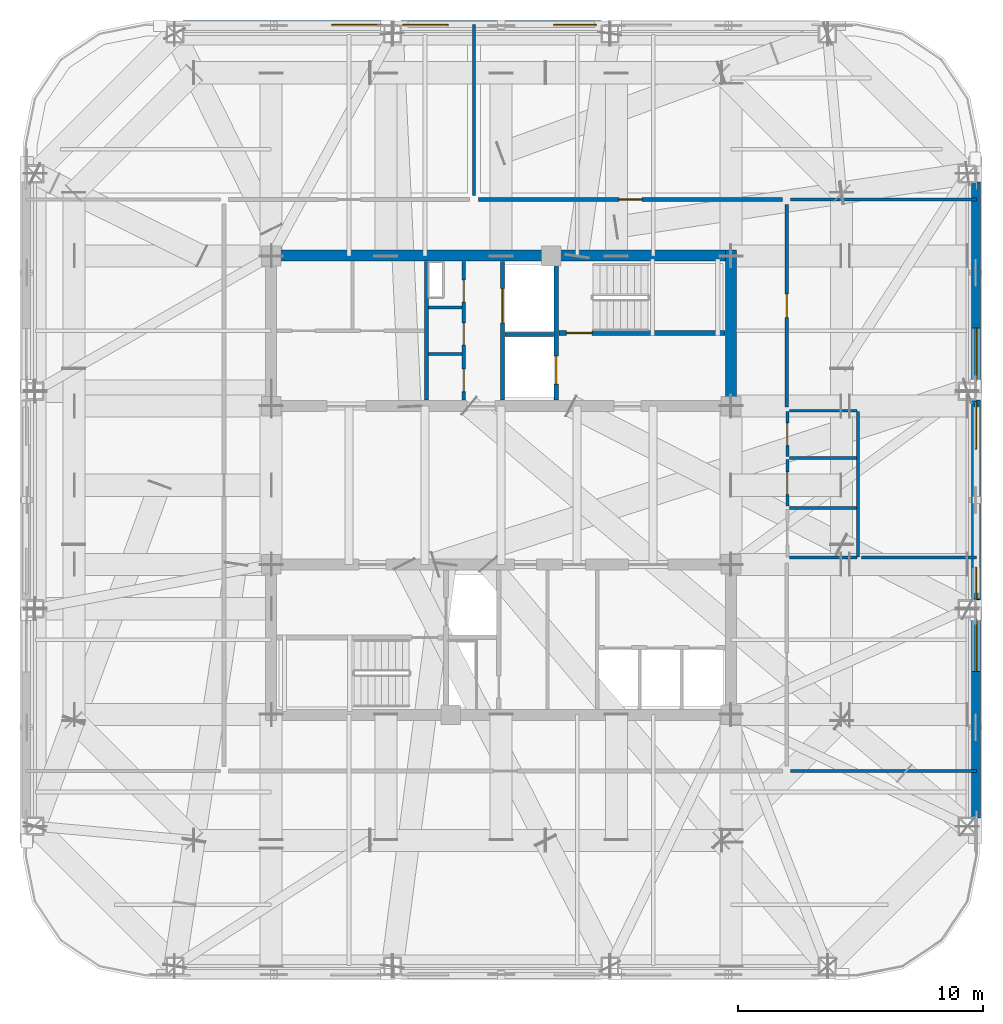
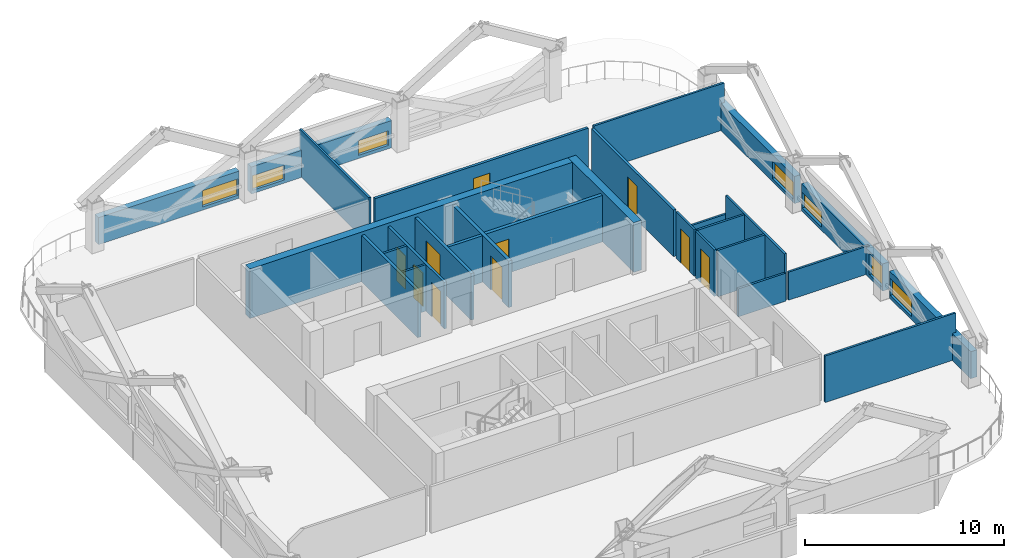
# One storey, part 7 of 11: 28 walls, 10 doors, 7 windows, 17 openings.
"""IFC4 building model written with IfcOpenShell, lengths in metres."""

from ifc_helpers import new_model, si_unit, direction, frame, frame_2d, origin, place, context, subcontext, project, spatial, rectangle, extrude, material, layer, layer_set, type_object, element, fill, save


model = new_model("IFC4")

# Units and contexts
model_context = context("Model", 3, precision=1e-05, world=origin(), true_north=direction((0.0, 1.0)))
body_context = subcontext(model_context, "Body", "Model", "MODEL_VIEW")
ifc_project = project(units=[si_unit("LENGTHUNIT", "METRE"), si_unit("AREAUNIT", "SQUARE_METRE"), si_unit("VOLUMEUNIT", "CUBIC_METRE"), si_unit("PLANEANGLEUNIT", "RADIAN"), si_unit("MASSUNIT", "GRAM", prefix="KILO")], contexts=[model_context])

# Site, building, storey
site_placement = place(None, origin())
site = spatial("IfcSite", under=ifc_project, at=site_placement, CompositionType="ELEMENT")
building_placement = place(site_placement, origin())
building = spatial("IfcBuilding", under=site, at=building_placement, Name="Qhalaya Broadcast Tower", CompositionType="ELEMENT")
storey_placement = place(building_placement, frame((0.0, 0.0, 199.5)))
storey = spatial("IfcBuildingStorey", under=building, at=storey_placement, Name="L58", CompositionType="ELEMENT", Elevation=199.5)

# Wall, openings, doors
ifc_material_1 = material(Name="Gypsum Acoustic Partition")
ifc_layer_1 = layer(ifc_material_1, 0.14990234375, Name="Gypsum Acoustic Partition")
ifc_layer_set_1 = layer_set([ifc_layer_1], Name="Gypsum Acoustic Partition")
wall_type_1 = type_object("IfcWallType", Name="Corridor & Tenancy Acoustic Partition 150", PredefinedType="PARTITIONING", material=ifc_layer_set_1)
wall_1_placement = place(storey_placement, frame((-1.52001953125, 4.070068359375, 0.0), z_axis=(0.0, 0.0, 1.0), x_axis=(0.0, 1.0, 0.0)))
wall_1 = element("IfcWall", 1, at=wall_1_placement, inside=storey, type_object=wall_type_1, Name="L58 Partition Wall NCW-SVL", PredefinedType="PARTITIONING", context=body_context, shape_type="SweptSolid", body=[
    extrude(rectangle(XDim=5.659912109375, YDim=0.14990234375, at=frame_2d((2.830078125, 0.0))), origin(), (0.0, 0.0, 1.0), 2.860107421875),
])
opening_1_placement = place(wall_1_placement, frame((4.0, 0.0, 0.0)))
opening_1 = element("IfcOpeningElement", 2, at=opening_1_placement, cuts=wall_1, Name="Opening D06", PredefinedType="OPENING", context=body_context, shape_type="SweptSolid", body=[
    extrude(rectangle(XDim=0.89990234375, YDim=2.050048828125, at=frame_2d((0.449951171875, 1.02490234375))), frame((0.0, 0.0869140625, 0.0), z_axis=(0.0, -1.0, 0.0), x_axis=(1.0, 0.0, 0.0)), (0.0, 0.0, 1.0), 0.173828125),
])
opening_2_placement = place(wall_1_placement, frame((2.25, 0.0, 0.0)))
opening_2 = element("IfcOpeningElement", 3, at=opening_2_placement, cuts=wall_1, Name="Opening D06", PredefinedType="OPENING", context=body_context, shape_type="SweptSolid", body=[
    extrude(rectangle(XDim=0.89990234375, YDim=2.050048828125, at=frame_2d((0.449951171875, 1.02490234375))), frame((0.0, 0.0869140625, 0.0), z_axis=(0.0, -1.0, 0.0), x_axis=(1.0, 0.0, 0.0)), (0.0, 0.0, 1.0), 0.173828125),
])
opening_3_placement = place(wall_1_placement, frame((0.35009765625, 0.0, 0.0)))
opening_3 = element("IfcOpeningElement", 4, at=opening_3_placement, cuts=wall_1, Name="Opening D12", PredefinedType="OPENING", context=body_context, shape_type="SweptSolid", body=[
    extrude(rectangle(XDim=0.919921875, YDim=2.10009765625, at=frame_2d((0.4599609375, 1.050048828125))), frame((0.0, 0.0869140625, 0.0), z_axis=(0.0, -1.0, 0.0), x_axis=(1.0, 0.0, 0.0)), (0.0, 0.0, 1.0), 0.173828125),
])
ifc_material_2 = material(Name="Timber Veneer Acoustic Door", Category="wood")
door_type_1 = type_object("IfcDoorType", Name="Accessible WC & Restroom Door D12", OperationType="NOTDEFINED", PredefinedType="DOOR", material=ifc_material_2)
door_1_placement = place(opening_3_placement, origin())
door_1 = element("IfcDoor", 5, at=door_1_placement, inside=storey, type_object=door_type_1, Name="L58 Door D-NCWC", OperationType="SINGLE_SWING_RIGHT", OverallHeight=2.10009765625, OverallWidth=0.919921875, PredefinedType="DOOR", context=body_context, shape_type="SweptSolid", body=[
    extrude(rectangle(XDim=0.919921875, YDim=2.10009765625, at=frame_2d((0.4599609375, 1.050048828125))), frame((0.0, 0.02490234375, 0.0), z_axis=(0.0, -1.0, 0.0), x_axis=(1.0, 0.0, 0.0)), (0.0, 0.0, 1.0), 0.050048828125),
])
fill(opening_3, door_1)
ifc_material_3 = material(Name="Fire-Rated Steel Door", Category="steel")
door_type_2 = type_object("IfcDoorType", Name="Riser & Electrical Shaft Access Door D06", OperationType="NOTDEFINED", PredefinedType="DOOR", material=ifc_material_3)
door_2_placement = place(opening_1_placement, origin())
door_2 = element("IfcDoor", 6, at=door_2_placement, inside=storey, type_object=door_type_2, Name="L58 Riser Shaft Access Door D-NRSR", OperationType="SINGLE_SWING_RIGHT", OverallHeight=2.050048828125, OverallWidth=0.89990234375, PredefinedType="DOOR", context=body_context, shape_type="SweptSolid", body=[
    extrude(rectangle(XDim=0.89990234375, YDim=2.050048828125, at=frame_2d((0.449951171875, 1.02490234375))), frame((0.0, 0.02490234375, 0.0), z_axis=(0.0, -1.0, 0.0), x_axis=(1.0, 0.0, 0.0)), (0.0, 0.0, 1.0), 0.050048828125),
])
fill(opening_1, door_2)
door_3_placement = place(opening_2_placement, origin())
door_3 = element("IfcDoor", 7, at=door_3_placement, inside=storey, type_object=door_type_2, Name="L58 Door D-NITR", OperationType="SINGLE_SWING_LEFT", OverallHeight=2.050048828125, OverallWidth=0.89990234375, PredefinedType="DOOR", context=body_context, shape_type="SweptSolid", body=[
    extrude(rectangle(XDim=0.89990234375, YDim=2.050048828125, at=frame_2d((0.449951171875, 1.02490234375))), frame((0.0, 0.02490234375, 0.0), z_axis=(0.0, -1.0, 0.0), x_axis=(1.0, 0.0, 0.0)), (0.0, 0.0, 1.0), 0.050048828125),
])
fill(opening_2, door_3)

# Wall, opening, door
wall_2_placement = place(storey_placement, frame((-0.919921875, 12.25, 0.0), z_axis=(0.0, 0.0, 1.0), x_axis=(1.0, 0.0, 0.0)))
wall_2 = element("IfcWall", 8, at=wall_2_placement, inside=storey, type_object=wall_type_1, Name="L58 Partition Wall W-COR-02", PredefinedType="PARTITIONING", context=body_context, shape_type="SweptSolid", body=[
    extrude(rectangle(XDim=12.389892578125, YDim=0.14990234375, at=frame_2d((6.19482421875, 0.0))), origin(), (0.0, 0.0, 1.0), 2.860107421875),
])
opening_4_placement = place(wall_2_placement, frame((5.719970703125, 0.0, 0.0)))
opening_4 = element("IfcOpeningElement", 9, at=opening_4_placement, cuts=wall_2, Name="Opening D10", PredefinedType="OPENING", context=body_context, shape_type="SweptSolid", body=[
    extrude(rectangle(XDim=0.949951171875, YDim=2.10009765625, at=frame_2d((0.47509765625, 1.050048828125))), frame((0.0, 0.0869140625, 0.0), z_axis=(0.0, -1.0, 0.0), x_axis=(1.0, 0.0, 0.0)), (0.0, 0.0, 1.0), 0.173828125),
])
door_type_3 = type_object("IfcDoorType", Name="Cellular Office & Edit Booth Door D10", OperationType="NOTDEFINED", PredefinedType="DOOR", material=ifc_material_2)
door_4_placement = place(opening_4_placement, origin())
door_4 = element("IfcDoor", 10, at=door_4_placement, inside=storey, type_object=door_type_3, Name="L58 Door D-RM02", OperationType="SINGLE_SWING_LEFT", OverallHeight=2.10009765625, OverallWidth=0.949951171875, PredefinedType="DOOR", context=body_context, shape_type="SweptSolid", body=[
    extrude(rectangle(XDim=0.949951171875, YDim=2.10009765625, at=frame_2d((0.47509765625, 1.050048828125))), frame((0.0, 0.02490234375, 0.0), z_axis=(0.0, -1.0, 0.0), x_axis=(1.0, 0.0, 0.0)), (0.0, 0.0, 1.0), 0.050048828125),
])
fill(opening_4, door_4)

wall_3_placement = place(storey_placement, frame((11.64990234375, 3.800048828125, 0.0), z_axis=(0.0, 0.0, 1.0), x_axis=(0.0, 1.0, 0.0)))
wall_3 = element("IfcWall", 11, at=wall_3_placement, inside=storey, type_object=wall_type_1, Name="L58 Partition Wall W-COR-06", PredefinedType="PARTITIONING", context=body_context, shape_type="SweptSolid", body=[
    extrude(rectangle(XDim=8.25, YDim=0.14990234375, at=frame_2d((4.125, 0.0))), origin(), (0.0, 0.0, 1.0), 2.860107421875),
])
opening_5_placement = place(wall_3_placement, frame((3.64990234375, 0.0, 0.0)))
opening_5 = element("IfcOpeningElement", 12, at=opening_5_placement, cuts=wall_3, Name="Opening D10", PredefinedType="OPENING", context=body_context, shape_type="SweptSolid", body=[
    extrude(rectangle(XDim=0.949951171875, YDim=2.10009765625, at=frame_2d((0.47509765625, 1.050048828125))), frame((0.0, 0.0869140625, 0.0), z_axis=(0.0, -1.0, 0.0), x_axis=(1.0, 0.0, 0.0)), (0.0, 0.0, 1.0), 0.173828125),
])
door_5_placement = place(opening_5_placement, origin())
door_5 = element("IfcDoor", 13, at=door_5_placement, inside=storey, type_object=door_type_3, Name="L58 Door D-RM06", OperationType="SINGLE_SWING_LEFT", OverallHeight=2.10009765625, OverallWidth=0.949951171875, PredefinedType="DOOR", context=body_context, shape_type="SweptSolid", body=[
    extrude(rectangle(XDim=0.949951171875, YDim=2.10009765625, at=frame_2d((0.47509765625, 1.050048828125))), frame((0.0, 0.02490234375, 0.0), z_axis=(0.0, -1.0, 0.0), x_axis=(1.0, 0.0, 0.0)), (0.0, 0.0, 1.0), 0.050048828125),
])
fill(opening_5, door_5)

# Wall, opening, window
ifc_material_4 = material(Name="Precast Concrete C40/50", Category="concrete")
ifc_layer_2 = layer(ifc_material_4, 0.360107421875, Name="Precast Concrete C40/50")
ifc_layer_set_2 = layer_set([ifc_layer_2], Name="Precast Concrete C40/50")
wall_type_2 = type_object("IfcWallType", Name="Insulated Precast Terracotta Exterior Wall 360", PredefinedType="SOLIDWALL", material=ifc_layer_set_2)
wall_4_placement = place(storey_placement, frame((19.360107421875, 12.9619140625, 0.0), z_axis=(0.0, 0.0, 1.0), x_axis=(0.0, -1.0, 0.0)))
wall_4 = element("IfcWall", 14, at=wall_4_placement, inside=storey, type_object=wall_type_2, Name="L58 Exoskeleton Diagrid Infill Wall E1", PredefinedType="SOLIDWALL", context=body_context, shape_type="SweptSolid", body=[
    extrude(rectangle(XDim=8.1787109375, YDim=0.360107421875, at=frame_2d((4.08935546875, 0.0))), origin(), (0.0, 0.0, 1.0), 1.662109375),
])
opening_6_placement = place(wall_4_placement, frame((5.949951171875, 0.0, 0.199951171875)))
opening_6 = element("IfcOpeningElement", 15, at=opening_6_placement, cuts=wall_4, Name="Opening W13", PredefinedType="OPENING", context=body_context, shape_type="SweptSolid", body=[
    extrude(rectangle(XDim=2.14990234375, YDim=1.050048828125, at=frame_2d((1.074951171875, 0.52490234375))), frame((0.0, 0.192138671875, 0.0), z_axis=(0.0, -1.0, 0.0), x_axis=(1.0, 0.0, 0.0)), (0.0, 0.0, 1.0), 0.384033203125),
])
ifc_material_5 = material(Name="Solar-Control Low-E Triple Glazing", Category="glass")
window_type = type_object("IfcWindowType", Name="Upper-Block Diagrid Infill Window W13", PartitioningType="SINGLE_PANEL", PredefinedType="WINDOW", material=ifc_material_5)
window_1_placement = place(opening_6_placement, origin())
window_1 = element("IfcWindow", 16, at=window_1_placement, inside=storey, type_object=window_type, Name="L58 Diagrid Infill Window W13-E1", OverallHeight=1.050048828125, OverallWidth=2.14990234375, PartitioningType="SINGLE_PANEL", PredefinedType="WINDOW", context=body_context, shape_type="SweptSolid", body=[
    extrude(rectangle(XDim=2.14990234375, YDim=1.050048828125, at=frame_2d((1.074951171875, 0.52490234375))), frame((0.0, 0.030029296875, 0.0), z_axis=(0.0, -1.0, 0.0), x_axis=(1.0, 0.0, 0.0)), (0.0, 0.0, 1.0), 0.06005859375),
])
fill(opening_6, window_1)

# Wall, openings, windows
wall_5_placement = place(storey_placement, frame((19.360107421875, 4.083251953125, 0.0), z_axis=(0.0, 0.0, 1.0), x_axis=(0.0, -1.0, 0.0)))
wall_5 = element("IfcWall", 17, at=wall_5_placement, inside=storey, type_object=wall_type_2, Name="L58 Exoskeleton Diagrid Infill Wall E2", PredefinedType="SOLIDWALL", context=body_context, shape_type="SweptSolid", body=[
    extrude(rectangle(XDim=8.16650390625, YDim=0.360107421875, at=frame_2d((4.083251953125, 0.0))), origin(), (0.0, 0.0, 1.0), 1.662109375),
])
opening_7_placement = place(wall_5_placement, frame((0.071044921875, 0.0, 0.199951171875)))
opening_7 = element("IfcOpeningElement", 18, at=opening_7_placement, cuts=wall_5, Name="Opening W13", PredefinedType="OPENING", context=body_context, shape_type="SweptSolid", body=[
    extrude(rectangle(XDim=1.949951171875, YDim=0.949951171875, at=frame_2d((0.97509765625, 0.47509765625))), frame((0.0, 0.192138671875, 0.0), z_axis=(0.0, -1.0, 0.0), x_axis=(1.0, 0.0, 0.0)), (0.0, 0.0, 1.0), 0.384033203125),
])
opening_8_placement = place(wall_5_placement, frame((6.821044921875, 0.0, 0.199951171875)))
opening_8 = element("IfcOpeningElement", 19, at=opening_8_placement, cuts=wall_5, Name="Opening W13", PredefinedType="OPENING", context=body_context, shape_type="SweptSolid", body=[
    extrude(rectangle(XDim=1.300048828125, YDim=1.300048828125, at=frame_2d((0.64990234375, 0.64990234375))), frame((0.0, 0.192138671875, 0.0), z_axis=(0.0, -1.0, 0.0), x_axis=(1.0, 0.0, 0.0)), (0.0, 0.0, 1.0), 0.384033203125),
])
window_2_placement = place(opening_7_placement, origin())
window_2 = element("IfcWindow", 20, at=window_2_placement, inside=storey, type_object=window_type, Name="L58 Diagrid Infill Window W13-E2", OverallHeight=0.949951171875, OverallWidth=1.949951171875, PartitioningType="SINGLE_PANEL", PredefinedType="WINDOW", context=body_context, shape_type="SweptSolid", body=[
    extrude(rectangle(XDim=1.949951171875, YDim=0.949951171875, at=frame_2d((0.97509765625, 0.47509765625))), frame((0.0, 0.030029296875, 0.0), z_axis=(0.0, -1.0, 0.0), x_axis=(1.0, 0.0, 0.0)), (0.0, 0.0, 1.0), 0.06005859375),
])
fill(opening_7, window_2)
window_3_placement = place(opening_8_placement, origin())
window_3 = element("IfcWindow", 21, at=window_3_placement, inside=storey, type_object=window_type, Name="L58 Diagrid Infill Window W13-E3", OverallHeight=1.300048828125, OverallWidth=1.300048828125, PartitioningType="SINGLE_PANEL", PredefinedType="WINDOW", context=body_context, shape_type="SweptSolid", body=[
    extrude(rectangle(XDim=1.300048828125, YDim=1.300048828125, at=frame_2d((0.64990234375, 0.64990234375))), frame((0.0, 0.030029296875, 0.0), z_axis=(0.0, -1.0, 0.0), x_axis=(1.0, 0.0, 0.0)), (0.0, 0.0, 1.0), 0.06005859375),
])
fill(opening_8, window_3)

# Wall, opening, window
wall_6_placement = place(storey_placement, frame((19.360107421875, -4.783203125, 0.0), z_axis=(0.0, 0.0, 1.0), x_axis=(0.0, -1.0, 0.0)))
wall_6 = element("IfcWall", 22, at=wall_6_placement, inside=storey, type_object=wall_type_2, Name="L58 Exoskeleton Diagrid Infill Wall E3", PredefinedType="SOLIDWALL", context=body_context, shape_type="SweptSolid", body=[
    extrude(rectangle(XDim=8.1787109375, YDim=0.360107421875, at=frame_2d((4.08935546875, 0.0))), origin(), (0.0, 0.0, 1.0), 1.662109375),
])
opening_9_placement = place(wall_6_placement, frame((0.054931640625, 0.0, 0.199951171875)))
opening_9 = element("IfcOpeningElement", 23, at=opening_9_placement, cuts=wall_6, Name="Opening W13", PredefinedType="OPENING", context=body_context, shape_type="SweptSolid", body=[
    extrude(rectangle(XDim=2.14990234375, YDim=1.050048828125, at=frame_2d((1.074951171875, 0.52490234375))), frame((0.0, 0.192138671875, 0.0), z_axis=(0.0, -1.0, 0.0), x_axis=(1.0, 0.0, 0.0)), (0.0, 0.0, 1.0), 0.384033203125),
])
window_4_placement = place(opening_9_placement, origin())
window_4 = element("IfcWindow", 24, at=window_4_placement, inside=storey, type_object=window_type, Name="L58 Diagrid Infill Window W13-E4", OverallHeight=1.050048828125, OverallWidth=2.14990234375, PartitioningType="SINGLE_PANEL", PredefinedType="WINDOW", context=body_context, shape_type="SweptSolid", body=[
    extrude(rectangle(XDim=2.14990234375, YDim=1.050048828125, at=frame_2d((1.074951171875, 0.52490234375))), frame((0.0, 0.030029296875, 0.0), z_axis=(0.0, -1.0, 0.0), x_axis=(1.0, 0.0, 0.0)), (0.0, 0.0, 1.0), 0.06005859375),
])
fill(opening_9, window_4)

wall_7_placement = place(storey_placement, frame((-12.9619140625, 19.360107421875, 0.0), z_axis=(0.0, 0.0, 1.0), x_axis=(1.0, 0.0, 0.0)))
wall_7 = element("IfcWall", 25, at=wall_7_placement, inside=storey, type_object=wall_type_2, Name="L58 Exoskeleton Diagrid Infill Wall N1", PredefinedType="SOLIDWALL", context=body_context, shape_type="SweptSolid", body=[
    extrude(rectangle(XDim=8.1787109375, YDim=0.360107421875, at=frame_2d((4.08935546875, 0.0))), origin(), (0.0, 0.0, 1.0), 1.662109375),
])
opening_10_placement = place(wall_7_placement, frame((6.050048828125, 0.0, 0.199951171875)))
opening_10 = element("IfcOpeningElement", 26, at=opening_10_placement, cuts=wall_7, Name="Opening W13", PredefinedType="OPENING", context=body_context, shape_type="SweptSolid", body=[
    extrude(rectangle(XDim=2.050048828125, YDim=1.0, at=frame_2d((1.02490234375, 0.5))), frame((0.0, 0.192138671875, 0.0), z_axis=(0.0, -1.0, 0.0), x_axis=(1.0, 0.0, 0.0)), (0.0, 0.0, 1.0), 0.384033203125),
])
window_5_placement = place(opening_10_placement, origin())
window_5 = element("IfcWindow", 27, at=window_5_placement, inside=storey, type_object=window_type, Name="L58 Diagrid Infill Window W13-N1", OverallHeight=1.0, OverallWidth=2.050048828125, PartitioningType="SINGLE_PANEL", PredefinedType="WINDOW", context=body_context, shape_type="SweptSolid", body=[
    extrude(rectangle(XDim=2.050048828125, YDim=1.0, at=frame_2d((1.02490234375, 0.5))), frame((0.0, 0.030029296875, 0.0), z_axis=(0.0, -1.0, 0.0), x_axis=(1.0, 0.0, 0.0)), (0.0, 0.0, 1.0), 0.06005859375),
])
fill(opening_10, window_5)

# Wall, openings, windows
wall_8_placement = place(storey_placement, frame((-4.083251953125, 19.360107421875, 0.0), z_axis=(0.0, 0.0, 1.0), x_axis=(1.0, 0.0, 0.0)))
wall_8 = element("IfcWall", 28, at=wall_8_placement, inside=storey, type_object=wall_type_2, Name="L58 Exoskeleton Diagrid Infill Wall N2", PredefinedType="SOLIDWALL", context=body_context, shape_type="SweptSolid", body=[
    extrude(rectangle(XDim=8.16650390625, YDim=0.360107421875, at=frame_2d((4.083251953125, 0.0))), origin(), (0.0, 0.0, 1.0), 1.662109375),
])
opening_11_placement = place(wall_8_placement, frame((0.071044921875, 0.0, 0.199951171875)))
opening_11 = element("IfcOpeningElement", 29, at=opening_11_placement, cuts=wall_8, Name="Opening W13", PredefinedType="OPENING", context=body_context, shape_type="SweptSolid", body=[
    extrude(rectangle(XDim=1.85009765625, YDim=0.89990234375, at=frame_2d((0.925048828125, 0.449951171875))), frame((0.0, 0.192138671875, 0.0), z_axis=(0.0, -1.0, 0.0), x_axis=(1.0, 0.0, 0.0)), (0.0, 0.0, 1.0), 0.384033203125),
])
opening_12_placement = place(wall_8_placement, frame((6.220947265625, 0.0, 0.199951171875)))
opening_12 = element("IfcOpeningElement", 30, at=opening_12_placement, cuts=wall_8, Name="Opening W13", PredefinedType="OPENING", context=body_context, shape_type="SweptSolid", body=[
    extrude(rectangle(XDim=1.75, YDim=0.89990234375, at=frame_2d((0.875, 0.449951171875))), frame((0.0, 0.192138671875, 0.0), z_axis=(0.0, -1.0, 0.0), x_axis=(1.0, 0.0, 0.0)), (0.0, 0.0, 1.0), 0.384033203125),
])
window_6_placement = place(opening_11_placement, origin())
window_6 = element("IfcWindow", 31, at=window_6_placement, inside=storey, type_object=window_type, Name="L58 Diagrid Infill Window W13-N2", OverallHeight=0.89990234375, OverallWidth=1.85009765625, PartitioningType="SINGLE_PANEL", PredefinedType="WINDOW", context=body_context, shape_type="SweptSolid", body=[
    extrude(rectangle(XDim=1.85009765625, YDim=0.89990234375, at=frame_2d((0.925048828125, 0.449951171875))), frame((0.0, 0.030029296875, 0.0), z_axis=(0.0, -1.0, 0.0), x_axis=(1.0, 0.0, 0.0)), (0.0, 0.0, 1.0), 0.06005859375),
])
fill(opening_11, window_6)
window_7_placement = place(opening_12_placement, origin())
window_7 = element("IfcWindow", 32, at=window_7_placement, inside=storey, type_object=window_type, Name="L58 Diagrid Infill Window W13-N3", OverallHeight=0.89990234375, OverallWidth=1.75, PartitioningType="SINGLE_PANEL", PredefinedType="WINDOW", context=body_context, shape_type="SweptSolid", body=[
    extrude(rectangle(XDim=1.75, YDim=0.89990234375, at=frame_2d((0.875, 0.449951171875))), frame((0.0, 0.030029296875, 0.0), z_axis=(0.0, -1.0, 0.0), x_axis=(1.0, 0.0, 0.0)), (0.0, 0.0, 1.0), 0.06005859375),
])
fill(opening_12, window_7)

# Wall, opening, door
ifc_material_6 = material(Name="Concrete C50/60", Category="concrete")
ifc_layer_3 = layer(ifc_material_6, 0.199951171875, Name="Concrete C50/60")
ifc_layer_set_3 = layer_set([ifc_layer_3], Name="Concrete C50/60")
wall_type_3 = type_object("IfcWallType", Name="Load-Bearing Stair Shaft Wall 200", PredefinedType="SHEAR", material=ifc_layer_set_3)
wall_9_placement = place(storey_placement, frame((2.360107421875, 6.804931640625, 0.0), z_axis=(0.0, 0.0, 1.0), x_axis=(1.0, 0.0, 0.0)))
wall_9 = element("IfcWall", 33, at=wall_9_placement, inside=storey, type_object=wall_type_3, Name="L58 Stair Core Shear Wall NCW-ST1", PredefinedType="SHEAR", context=body_context, shape_type="SweptSolid", body=[
    extrude(rectangle(XDim=6.769775390625, YDim=0.199951171875, at=frame_2d((3.384765625, 0.0))), origin(), (0.0, 0.0, 1.0), 2.860107421875),
])
opening_13_placement = place(wall_9_placement, frame((0.300048828125, 0.0, 0.0)))
opening_13 = element("IfcOpeningElement", 34, at=opening_13_placement, cuts=wall_9, Name="Opening D03", PredefinedType="OPENING", context=body_context, shape_type="SweptSolid", body=[
    extrude(rectangle(XDim=1.050048828125, YDim=2.080078125, at=frame_2d((0.52490234375, 1.0400390625))), frame((0.0, 0.112060546875, 0.0), z_axis=(0.0, -1.0, 0.0), x_axis=(1.0, 0.0, 0.0)), (0.0, 0.0, 1.0), 0.223876953125),
])
door_type_4 = type_object("IfcDoorType", Name="Core Stair Protected Fire Door D03", OperationType="NOTDEFINED", PredefinedType="DOOR", material=ifc_material_3)
door_6_placement = place(opening_13_placement, origin())
door_6 = element("IfcDoor", 35, at=door_6_placement, inside=storey, type_object=door_type_4, Name="L58 Door D-NST1", OperationType="SINGLE_SWING_LEFT", OverallHeight=2.080078125, OverallWidth=1.050048828125, PredefinedType="DOOR", context=body_context, shape_type="SweptSolid", body=[
    extrude(rectangle(XDim=1.050048828125, YDim=2.080078125, at=frame_2d((0.52490234375, 1.0400390625))), frame((0.0, 0.02490234375, 0.0), z_axis=(0.0, -1.0, 0.0), x_axis=(1.0, 0.0, 0.0)), (0.0, 0.0, 1.0), 0.050048828125),
])
fill(opening_13, door_6)

wall_10_placement = place(storey_placement, frame((2.25, 4.070068359375, 0.0), z_axis=(0.0, 0.0, 1.0), x_axis=(0.0, 1.0, 0.0)))
wall_10 = element("IfcWall", 36, at=wall_10_placement, inside=storey, type_object=wall_type_3, Name="L58 Stair Core Shear Wall NCW-FF", PredefinedType="SHEAR", context=body_context, shape_type="SweptSolid", body=[
    extrude(rectangle(XDim=5.659912109375, YDim=0.199951171875, at=frame_2d((2.830078125, 0.0))), origin(), (0.0, 0.0, 1.0), 2.860107421875),
])
opening_14_placement = place(wall_10_placement, frame((0.64990234375, 0.0, 0.0)))
opening_14 = element("IfcOpeningElement", 37, at=opening_14_placement, cuts=wall_10, Name="Opening LD2", PredefinedType="OPENING", context=body_context, shape_type="SweptSolid", body=[
    extrude(rectangle(XDim=1.14990234375, YDim=2.080078125, at=frame_2d((0.574951171875, 1.0400390625))), frame((0.0, 0.112060546875, 0.0), z_axis=(0.0, -1.0, 0.0), x_axis=(1.0, 0.0, 0.0)), (0.0, 0.0, 1.0), 0.223876953125),
])
ifc_material_7 = material(Name="Brushed Stainless Steel Lift Door", Category="steel")
door_type_5 = type_object("IfcDoorType", Name="Firefighting Lift Sliding Landing Door LD2", OperationType="DOUBLE_DOOR_SLIDING", PredefinedType="DOOR", material=ifc_material_7)
door_7_placement = place(opening_14_placement, origin())
door_7 = element("IfcDoor", 38, at=door_7_placement, inside=storey, type_object=door_type_5, Name="L58 Door LD-FF1", OperationType="DOUBLE_DOOR_SLIDING", OverallHeight=2.080078125, OverallWidth=1.14990234375, PredefinedType="DOOR", context=body_context, shape_type="SweptSolid", body=[
    extrude(rectangle(XDim=1.14990234375, YDim=2.080078125, at=frame_2d((0.574951171875, 1.0400390625))), frame((0.0, 0.02490234375, 0.0), z_axis=(0.0, -1.0, 0.0), x_axis=(1.0, 0.0, 0.0)), (0.0, 0.0, 1.0), 0.050048828125),
])
fill(opening_14, door_7)

# Walls
ifc_layer_4 = layer(ifc_material_1, 0.1201171875, Name="Gypsum Acoustic Partition")
ifc_layer_set_4 = layer_set([ifc_layer_4], Name="Gypsum Acoustic Partition")
wall_type_4 = type_object("IfcWallType", Name="Office, Booth & Sanitary Partition 120", PredefinedType="PARTITIONING", material=ifc_layer_set_4)
for number, where, z_axis, x_axis, name in (
    (39, (-2.9599609375, 5.949951171875, 0.0), (0.0, 0.0, 1.0), (1.0, 0.0, 0.0), "L58 Partition Wall NCW-VB1"),
    (40, (-2.9599609375, 7.85009765625, 0.0), (0.0, 0.0, 1.0), (1.0, 0.0, 0.0), "L58 Partition Wall NCW-VB2"),
):
    element("IfcWall", number, at=place(storey_placement, frame(where, z_axis=z_axis, x_axis=x_axis)), inside=storey, type_object=wall_type_4, Name=name, PredefinedType="PARTITIONING", context=body_context, shape_type="SweptSolid", body=[
        extrude(rectangle(XDim=1.35986328125, YDim=0.1201171875, at=frame_2d((0.679931640625, 0.0))), origin(), (0.0, 0.0, 1.0), 2.860107421875),
    ])

# Wall, opening, door
wall_11_placement = place(storey_placement, frame((11.669921875, -0.25, 0.0), z_axis=(0.0, 0.0, 1.0), x_axis=(0.0, 1.0, 0.0)))
wall_11 = element("IfcWall", 41, at=wall_11_placement, inside=storey, type_object=wall_type_4, Name="L58 Partition Wall W-WCWM", PredefinedType="PARTITIONING", context=body_context, shape_type="SweptSolid", body=[
    extrude(rectangle(XDim=1.89990234375, YDim=0.1201171875, at=frame_2d((0.949951171875, 0.0))), origin(), (0.0, 0.0, 1.0), 2.860107421875),
])
opening_15_placement = place(wall_11_placement, frame((0.47509765625, 0.0, 0.0)))
opening_15 = element("IfcOpeningElement", 42, at=opening_15_placement, cuts=wall_11, Name="Opening D12", PredefinedType="OPENING", context=body_context, shape_type="SweptSolid", body=[
    extrude(rectangle(XDim=0.919921875, YDim=2.10009765625, at=frame_2d((0.4599609375, 1.050048828125))), frame((0.0, 0.072021484375, 0.0), z_axis=(0.0, -1.0, 0.0), x_axis=(1.0, 0.0, 0.0)), (0.0, 0.0, 1.0), 0.14404296875),
])
door_8_placement = place(opening_15_placement, origin())
door_8 = element("IfcDoor", 43, at=door_8_placement, inside=storey, type_object=door_type_1, Name="L58 Door D-WCM", OperationType="SINGLE_SWING_RIGHT", OverallHeight=2.10009765625, OverallWidth=0.919921875, PredefinedType="DOOR", context=body_context, shape_type="SweptSolid", body=[
    extrude(rectangle(XDim=0.919921875, YDim=2.10009765625, at=frame_2d((0.4599609375, 1.050048828125))), frame((0.0, 0.02490234375, 0.0), z_axis=(0.0, -1.0, 0.0), x_axis=(1.0, 0.0, 0.0)), (0.0, 0.0, 1.0), 0.050048828125),
])
fill(opening_15, door_8)

wall_12_placement = place(storey_placement, frame((11.669921875, 1.780029296875, 0.0), z_axis=(0.0, 0.0, 1.0), x_axis=(0.0, 1.0, 0.0)))
wall_12 = element("IfcWall", 44, at=wall_12_placement, inside=storey, type_object=wall_type_4, Name="L58 Partition Wall W-WCWF", PredefinedType="PARTITIONING", context=body_context, shape_type="SweptSolid", body=[
    extrude(rectangle(XDim=1.830078125, YDim=0.1201171875, at=frame_2d((0.9150390625, 0.0))), origin(), (0.0, 0.0, 1.0), 2.860107421875),
])
opening_16_placement = place(wall_12_placement, frame((0.43994140625, 0.0, 0.0)))
opening_16 = element("IfcOpeningElement", 45, at=opening_16_placement, cuts=wall_12, Name="Opening D12", PredefinedType="OPENING", context=body_context, shape_type="SweptSolid", body=[
    extrude(rectangle(XDim=0.919921875, YDim=2.10009765625, at=frame_2d((0.4599609375, 1.050048828125))), frame((0.0, 0.072021484375, 0.0), z_axis=(0.0, -1.0, 0.0), x_axis=(1.0, 0.0, 0.0)), (0.0, 0.0, 1.0), 0.14404296875),
])
door_9_placement = place(opening_16_placement, origin())
door_9 = element("IfcDoor", 46, at=door_9_placement, inside=storey, type_object=door_type_1, Name="L58 Door D-WCF", OperationType="SINGLE_SWING_LEFT", OverallHeight=2.10009765625, OverallWidth=0.919921875, PredefinedType="DOOR", context=body_context, shape_type="SweptSolid", body=[
    extrude(rectangle(XDim=0.919921875, YDim=2.10009765625, at=frame_2d((0.4599609375, 1.050048828125))), frame((0.0, 0.02490234375, 0.0), z_axis=(0.0, -1.0, 0.0), x_axis=(1.0, 0.0, 0.0)), (0.0, 0.0, 1.0), 0.050048828125),
])
fill(opening_16, door_9)

# Walls
wall_13_placement = place(storey_placement, frame((14.550048828125, -2.320068359375, 0.0), z_axis=(0.0, 0.0, 1.0), x_axis=(0.0, 1.0, 0.0)))
element("IfcWall", 47, at=wall_13_placement, inside=storey, type_object=wall_type_4, Name="L58 Partition Wall W-WCE", PredefinedType="PARTITIONING", context=body_context, shape_type="SweptSolid", body=[
    extrude(rectangle(XDim=5.93017578125, YDim=0.1201171875, at=frame_2d((2.965087890625, 0.0))), origin(), (0.0, 0.0, 1.0), 2.860107421875),
])
for number, where, z_axis, x_axis, name in (
    (48, (11.760009765625, -2.35009765625, 0.0), (0.0, 0.0, 1.0), (1.0, 0.0, 0.0), "L58 Partition Wall W-WCS"),
    (49, (11.760009765625, 3.639892578125, 0.0), (0.0, 0.0, 1.0), (1.0, 0.0, 0.0), "L58 Partition Wall W-WCN"),
):
    element("IfcWall", number, at=place(storey_placement, frame(where, z_axis=z_axis, x_axis=x_axis)), inside=storey, type_object=wall_type_4, Name=name, PredefinedType="PARTITIONING", context=body_context, shape_type="SweptSolid", body=[
        extrude(rectangle(XDim=2.760009765625, YDim=0.1201171875, at=frame_2d((1.3798828125, 0.0))), origin(), (0.0, 0.0, 1.0), 1.721923828125),
    ])
for number, where, z_axis, x_axis, name in (
    (50, (11.760009765625, -0.320068359375, 0.0), (0.0, 0.0, 1.0), (1.0, 0.0, 0.0), "L58 Partition Wall W-WCD1"),
    (51, (11.760009765625, 1.719970703125, 0.0), (0.0, 0.0, 1.0), (1.0, 0.0, 0.0), "L58 Partition Wall W-WCD2"),
):
    element("IfcWall", number, at=place(storey_placement, frame(where, z_axis=z_axis, x_axis=x_axis)), inside=storey, type_object=wall_type_4, Name=name, PredefinedType="PARTITIONING", context=body_context, shape_type="SweptSolid", body=[
        extrude(rectangle(XDim=2.719970703125, YDim=0.1201171875, at=frame_2d((1.35986328125, 0.0))), origin(), (0.0, 0.0, 1.0), 2.860107421875),
    ])
for number, where, z_axis, x_axis, name in (
    (52, (11.7900390625, 12.25, 0.0), (0.0, 0.0, 1.0), (1.0, 0.0, 0.0), "L58 Partition Wall W-BNDE1"),
    (53, (11.7900390625, -11.050048828125, 0.0), (0.0, 0.0, 1.0), (1.0, 0.0, 0.0), "L58 Partition Wall W-BNDE2"),
):
    element("IfcWall", number, at=place(storey_placement, frame(where, z_axis=z_axis, x_axis=x_axis)), inside=storey, type_object=wall_type_4, Name=name, PredefinedType="PARTITIONING", context=body_context, shape_type="SweptSolid", body=[
        extrude(rectangle(XDim=7.58984375, YDim=0.1201171875, at=frame_2d((3.794921875, 0.0))), origin(), (0.0, 0.0, 1.0), 2.860107421875),
    ])
wall_14_placement = place(storey_placement, frame((-1.10009765625, 12.409912109375, 0.0), z_axis=(0.0, 0.0, 1.0), x_axis=(0.0, 1.0, 0.0)))
element("IfcWall", 54, at=wall_14_placement, inside=storey, type_object=wall_type_4, Name="L58 Partition Wall W-DIVN1", PredefinedType="PARTITIONING", context=body_context, shape_type="SweptSolid", body=[
    extrude(rectangle(XDim=6.969970703125, YDim=0.1201171875, at=frame_2d((3.48486328125, 0.0))), origin(), (0.0, 0.0, 1.0), 2.860107421875),
])
wall_15_placement = place(storey_placement, frame((14.68994140625, -2.35009765625, 0.0), z_axis=(0.0, 0.0, 1.0), x_axis=(1.0, 0.0, 0.0)))
element("IfcWall", 55, at=wall_15_placement, inside=storey, type_object=wall_type_4, Name="L58 Partition Wall W-DIVE-WC", PredefinedType="PARTITIONING", context=body_context, shape_type="SweptSolid", body=[
    extrude(rectangle(XDim=4.68994140625, YDim=0.1201171875, at=frame_2d((2.344970703125, 0.0))), origin(), (0.0, 0.0, 1.0), 1.721923828125),
])

# Wall, opening, door
ifc_layer_5 = layer(ifc_material_1, 0.175048828125, Name="Gypsum Acoustic Partition")
ifc_layer_set_5 = layer_set([ifc_layer_5], Name="Gypsum Acoustic Partition")
wall_type_5 = type_object("IfcWallType", Name="Shaft & Riser Fire Partition 175", PredefinedType="PARTITIONING", material=ifc_layer_set_5)
wall_16_placement = place(storey_placement, frame((0.06005859375, 4.070068359375, 0.0), z_axis=(0.0, 0.0, 1.0), x_axis=(0.0, 1.0, 0.0)))
wall_16 = element("IfcWall", 56, at=wall_16_placement, inside=storey, type_object=wall_type_5, Name="L58 Partition Wall NCW-SVW", PredefinedType="PARTITIONING", context=body_context, shape_type="SweptSolid", body=[
    extrude(rectangle(XDim=5.659912109375, YDim=0.175048828125, at=frame_2d((2.830078125, 0.0))), origin(), (0.0, 0.0, 1.0), 2.860107421875),
])
opening_17_placement = place(wall_16_placement, frame((3.14990234375, 0.0, 0.0)))
opening_17 = element("IfcOpeningElement", 57, at=opening_17_placement, cuts=wall_16, Name="Opening LD3", PredefinedType="OPENING", context=body_context, shape_type="SweptSolid", body=[
    extrude(rectangle(XDim=1.39990234375, YDim=2.1201171875, at=frame_2d((0.699951171875, 1.06005859375))), frame((0.0, 0.099609375, 0.0), z_axis=(0.0, -1.0, 0.0), x_axis=(1.0, 0.0, 0.0)), (0.0, 0.0, 1.0), 0.198974609375),
])
door_type_6 = type_object("IfcDoorType", Name="Service Lift Wide Sliding Landing Door LD3", OperationType="DOUBLE_DOOR_SLIDING", PredefinedType="DOOR", material=ifc_material_7)
door_10_placement = place(opening_17_placement, origin())
door_10 = element("IfcDoor", 58, at=door_10_placement, inside=storey, type_object=door_type_6, Name="L58 Door LD-SV1", OperationType="DOUBLE_DOOR_SLIDING", OverallHeight=2.1201171875, OverallWidth=1.39990234375, PredefinedType="DOOR", context=body_context, shape_type="SweptSolid", body=[
    extrude(rectangle(XDim=1.39990234375, YDim=2.1201171875, at=frame_2d((0.699951171875, 1.06005859375))), frame((0.0, 0.02490234375, 0.0), z_axis=(0.0, -1.0, 0.0), x_axis=(1.0, 0.0, 0.0)), (0.0, 0.0, 1.0), 0.050048828125),
])
fill(opening_17, door_10)

# Walls
wall_17_placement = place(storey_placement, frame((0.159912109375, 6.75, 0.0), z_axis=(0.0, 0.0, 1.0), x_axis=(1.0, 0.0, 0.0)))
element("IfcWall", 59, at=wall_17_placement, inside=storey, type_object=wall_type_5, Name="L58 Partition Wall NCW-SVM", PredefinedType="PARTITIONING", context=body_context, shape_type="SweptSolid", body=[
    extrude(rectangle(XDim=1.97998046875, YDim=0.175048828125, at=frame_2d((0.989990234375, 0.0))), origin(), (0.0, 0.0, 1.0), 2.860107421875),
])
wall_18_placement = place(storey_placement, frame((-3.0400390625, 4.070068359375, 0.0), z_axis=(0.0, 0.0, 1.0), x_axis=(0.0, 1.0, 0.0)))
element("IfcWall", 60, at=wall_18_placement, inside=storey, type_object=wall_type_5, Name="L58 Partition Wall NCW-VRW", PredefinedType="PARTITIONING", context=body_context, shape_type="SweptSolid", body=[
    extrude(rectangle(XDim=5.659912109375, YDim=0.175048828125, at=frame_2d((2.830078125, 0.0))), origin(), (0.0, 0.0, 1.0), 2.860107421875),
])
ifc_layer_6 = layer(ifc_material_6, 0.449951171875, Name="Concrete C50/60")
ifc_layer_set_6 = layer_set([ifc_layer_6], Name="Concrete C50/60")
wall_type_6 = type_object("IfcWallType", Name="Upper Split-Core Shear Wall 450", PredefinedType="SHEAR", material=ifc_layer_set_6)
wall_19_placement = place(storey_placement, frame((-9.60009765625, 9.97509765625, 0.0), z_axis=(0.0, 0.0, 1.0), x_axis=(1.0, 0.0, 0.0)))
element("IfcWall", 61, at=wall_19_placement, inside=storey, type_object=wall_type_6, Name="L58 Split-Core Shear Wall CW-NN", PredefinedType="SHEAR", context=body_context, shape_type="SweptSolid", body=[
    extrude(rectangle(XDim=19.2001953125, YDim=0.449951171875, at=frame_2d((9.60009765625, 0.0))), origin(), (0.0, 0.0, 1.0), 3.050048828125),
])
wall_20_placement = place(storey_placement, frame((9.375, 3.60009765625, 0.0), z_axis=(0.0, 0.0, 1.0), x_axis=(0.0, 1.0, 0.0)))
element("IfcWall", 62, at=wall_20_placement, inside=storey, type_object=wall_type_6, Name="L58 Split-Core Shear Wall CW-NE", PredefinedType="SHEAR", context=body_context, shape_type="SweptSolid", body=[
    extrude(rectangle(XDim=6.599853515625, YDim=0.449951171875, at=frame_2d((3.2998046875, 0.0))), origin(), (0.0, 0.0, 1.0), 3.050048828125),
])

save(model, "model.ifc")
